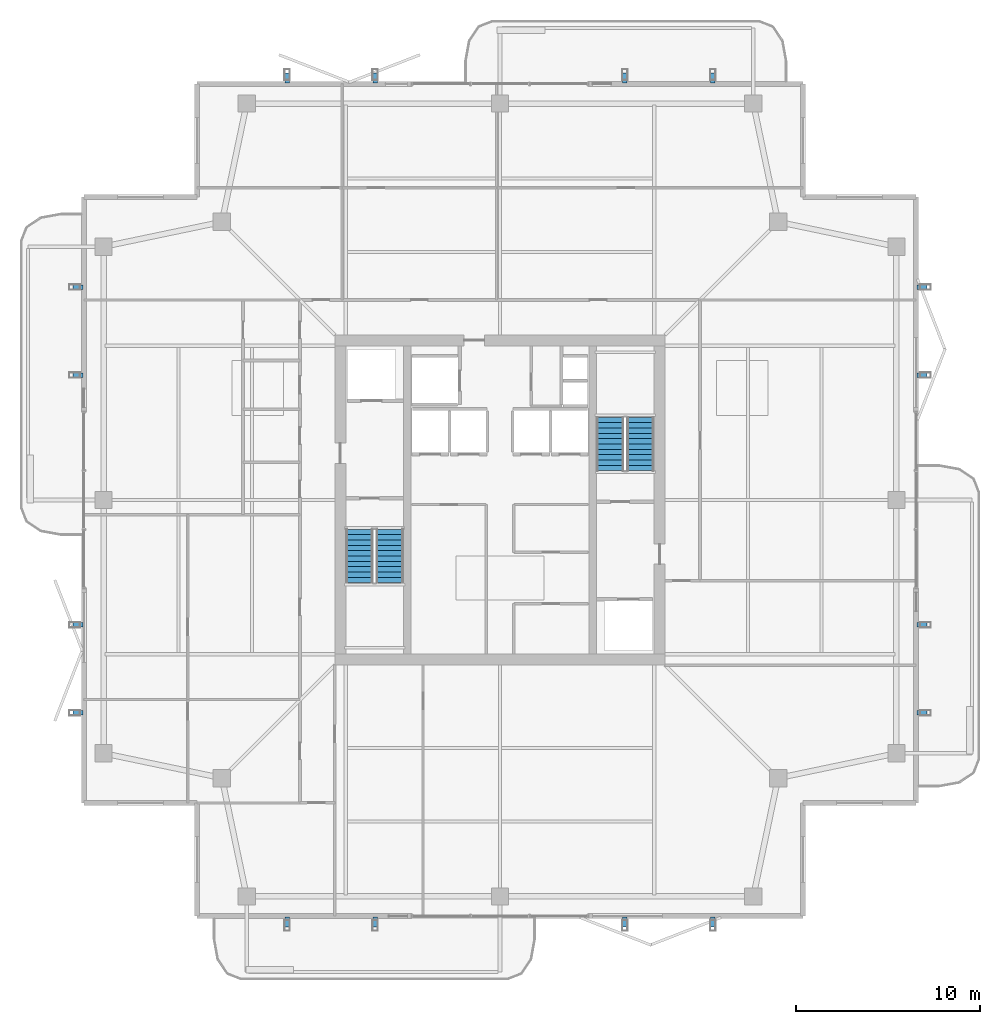
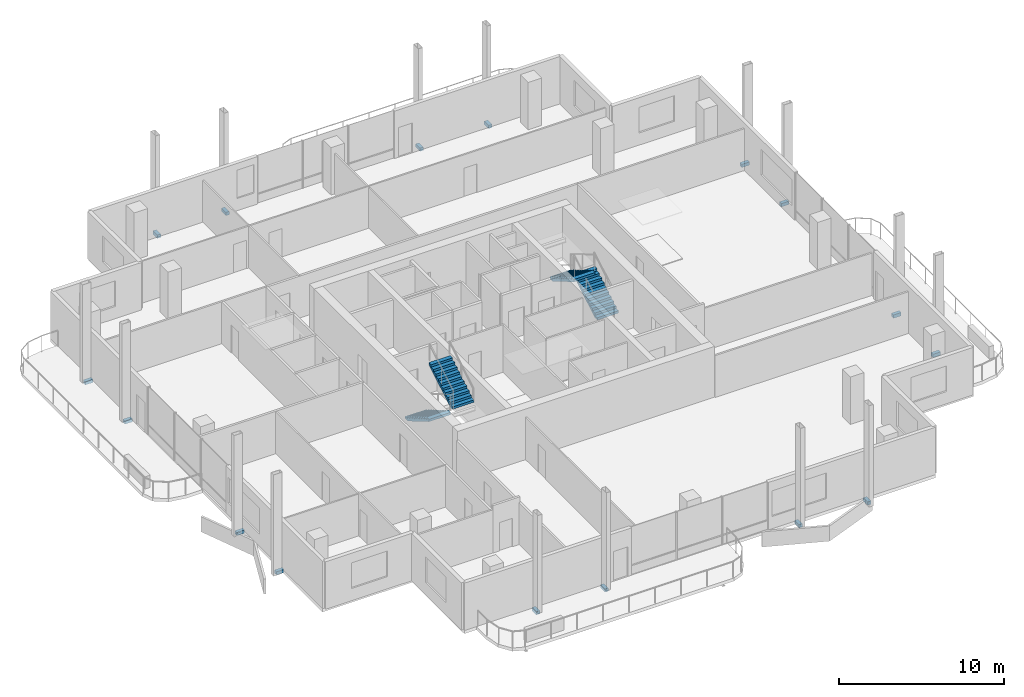
# One storey, part 17 of 20: 16 discrete accessories, 4 stair flights, 2 elements without a shape of their own.
"""IFC4 building model written with IfcOpenShell, lengths in metres."""

from ifc_helpers import new_model, si_unit, direction, frame, origin, origin_2d, place, context, subcontext, project, spatial, polyline, rectangle, outline, extrude, material, layer, layer_set, type_object, element, aggregate, save


model = new_model("IFC4")

# Units and contexts
model_context = context("Model", 3, precision=1e-05, world=origin(), true_north=direction((0.0, 1.0)))
body_context = subcontext(model_context, "Body", "Model", "MODEL_VIEW")
ifc_project = project(units=[si_unit("LENGTHUNIT", "METRE"), si_unit("AREAUNIT", "SQUARE_METRE"), si_unit("VOLUMEUNIT", "CUBIC_METRE"), si_unit("PLANEANGLEUNIT", "RADIAN"), si_unit("MASSUNIT", "GRAM", prefix="KILO")], contexts=[model_context])

# Site, building, storey
site_placement = place(None, origin())
site = spatial("IfcSite", under=ifc_project, at=site_placement, CompositionType="ELEMENT")
building_placement = place(site_placement, origin())
building = spatial("IfcBuilding", under=site, at=building_placement, Name="Belovzor Exchange Tower", CompositionType="ELEMENT")
storey_placement = place(building_placement, frame((0.0, 0.0, 314.25)))
storey = spatial("IfcBuildingStorey", under=building, at=storey_placement, Name="L78", CompositionType="ELEMENT", Elevation=314.25)

# Stair, stair flights
ifc_material_1 = material(Name="Concrete C40/50", Category="concrete")
stair_type = type_object("IfcStairType", Name="Reinforced Concrete Dogleg Escape Stair 1350", PredefinedType="HALF_TURN_STAIR", material=ifc_material_1)
stair_1_placement = place(storey_placement, origin())
stair_1 = element("IfcStair", 1, at=stair_1_placement, inside=storey, type_object=stair_type, Name="L78 ST-1", PredefinedType="HALF_TURN_STAIR")
ifc_material_2 = material(Name="Concrete C40/50", Category="concrete")
stair_flight_type = type_object("IfcStairFlightType", Name="Reinforced Concrete Stair Flight 1350", PredefinedType="STRAIGHT", material=ifc_material_2)
stair_flight_1_placement = place(storey_placement, frame((21.14990234375, 27.199951171875, 0.0), z_axis=(0.0, 0.0, 1.0), x_axis=(0.0, -1.0, 0.0)))
stair_flight_1 = element("IfcStairFlight", 2, at=stair_flight_1_placement, type_object=stair_flight_type, Name="ST-1 flight 1", NumberOfRisers=11, NumberOfTreads=10, PredefinedType="STRAIGHT", RiserHeight=0.170454545, TreadLength=0.29, context=body_context, shape_type="SweptSolid", body=[
    extrude(outline(polyline([(0.0, 0.0), (0.0, 0.17041015625), (0.2900390625, 0.17041015625), (0.2900390625, 0.3408203125), (0.580078125, 0.3408203125), (0.580078125, 0.511474609375), (0.8701171875, 0.511474609375), (0.8701171875, 0.681884765625), (1.159912109375, 0.681884765625), (1.159912109375, 0.852294921875), (1.449951171875, 0.852294921875), (1.449951171875, 1.022705078125), (1.739990234375, 1.022705078125), (1.739990234375, 1.193115234375), (2.030029296875, 1.193115234375), (2.030029296875, 1.363525390625), (2.320068359375, 1.363525390625), (2.320068359375, 1.5341796875), (2.610107421875, 1.5341796875), (2.610107421875, 1.70458984375), (2.89990234375, 1.70458984375), (2.89990234375, 1.875), (2.89990234375, 1.53076171875), (0.2958984375, 0.0), (0.0, 0.0)])), frame((0.0, 0.75, 0.0), z_axis=(0.0, -1.0, 0.0), x_axis=(1.0, 0.0, 0.0)), (0.0, 0.0, 1.0), 1.5),
])
stair_flight_2_placement = place(storey_placement, frame((22.800048828125, 24.300048828125, 1.875), z_axis=(0.0, 0.0, 1.0), x_axis=(0.0, 1.0, 0.0)))
stair_flight_2 = element("IfcStairFlight", 3, at=stair_flight_2_placement, type_object=stair_flight_type, Name="ST-1 flight 2", NumberOfRisers=11, NumberOfTreads=10, PredefinedType="STRAIGHT", RiserHeight=0.170454545, TreadLength=0.29, context=body_context, shape_type="SweptSolid", body=[
    extrude(outline(polyline([(0.0, 0.0), (0.0, 0.17041015625), (0.2900390625, 0.17041015625), (0.2900390625, 0.3408203125), (0.580078125, 0.3408203125), (0.580078125, 0.511474609375), (0.8701171875, 0.511474609375), (0.8701171875, 0.681884765625), (1.159912109375, 0.681884765625), (1.159912109375, 0.852294921875), (1.449951171875, 0.852294921875), (1.449951171875, 1.022705078125), (1.739990234375, 1.022705078125), (1.739990234375, 1.193115234375), (2.030029296875, 1.193115234375), (2.030029296875, 1.363525390625), (2.320068359375, 1.363525390625), (2.320068359375, 1.5341796875), (2.610107421875, 1.5341796875), (2.610107421875, 1.70458984375), (2.89990234375, 1.70458984375), (2.89990234375, 1.875), (2.89990234375, 1.53076171875), (0.2958984375, 0.0), (0.0, 0.0)])), frame((0.0, 0.75, 0.0), z_axis=(0.0, -1.0, 0.0), x_axis=(1.0, 0.0, 0.0)), (0.0, 0.0, 1.0), 1.5),
])
aggregate(stair_1, [stair_flight_1, stair_flight_2])

stair_2_placement = place(storey_placement, origin())
stair_2 = element("IfcStair", 4, at=stair_2_placement, inside=storey, type_object=stair_type, Name="L78 ST-2", PredefinedType="HALF_TURN_STAIR")
stair_flight_3_placement = place(storey_placement, frame((36.449951171875, 30.39990234375, 0.0), z_axis=(0.0, 0.0, 1.0), x_axis=(0.0, 1.0, 0.0)))
stair_flight_3 = element("IfcStairFlight", 5, at=stair_flight_3_placement, type_object=stair_flight_type, Name="ST-2 flight 1", NumberOfRisers=11, NumberOfTreads=10, PredefinedType="STRAIGHT", RiserHeight=0.170454545, TreadLength=0.29, context=body_context, shape_type="SweptSolid", body=[
    extrude(outline(polyline([(0.0, 0.0), (0.0, 0.17041015625), (0.2900390625, 0.17041015625), (0.2900390625, 0.3408203125), (0.580078125, 0.3408203125), (0.580078125, 0.511474609375), (0.8701171875, 0.511474609375), (0.8701171875, 0.681884765625), (1.159912109375, 0.681884765625), (1.159912109375, 0.852294921875), (1.449951171875, 0.852294921875), (1.449951171875, 1.022705078125), (1.739990234375, 1.022705078125), (1.739990234375, 1.193115234375), (2.030029296875, 1.193115234375), (2.030029296875, 1.363525390625), (2.320068359375, 1.363525390625), (2.320068359375, 1.5341796875), (2.610107421875, 1.5341796875), (2.610107421875, 1.70458984375), (2.89990234375, 1.70458984375), (2.89990234375, 1.875), (2.89990234375, 1.53076171875), (0.2958984375, 0.0), (0.0, 0.0)])), frame((0.0, 0.75, 0.0), z_axis=(0.0, -1.0, 0.0), x_axis=(1.0, 0.0, 0.0)), (0.0, 0.0, 1.0), 1.5),
])
stair_flight_4_placement = place(storey_placement, frame((34.800048828125, 33.300048828125, 1.875), z_axis=(0.0, 0.0, 1.0), x_axis=(0.0, -1.0, 0.0)))
stair_flight_4 = element("IfcStairFlight", 6, at=stair_flight_4_placement, type_object=stair_flight_type, Name="ST-2 flight 2", NumberOfRisers=11, NumberOfTreads=10, PredefinedType="STRAIGHT", RiserHeight=0.170454545, TreadLength=0.29, context=body_context, shape_type="SweptSolid", body=[
    extrude(outline(polyline([(0.0, 0.0), (0.0, 0.17041015625), (0.2900390625, 0.17041015625), (0.2900390625, 0.3408203125), (0.580078125, 0.3408203125), (0.580078125, 0.511474609375), (0.8701171875, 0.511474609375), (0.8701171875, 0.681884765625), (1.159912109375, 0.681884765625), (1.159912109375, 0.852294921875), (1.449951171875, 0.852294921875), (1.449951171875, 1.022705078125), (1.739990234375, 1.022705078125), (1.739990234375, 1.193115234375), (2.030029296875, 1.193115234375), (2.030029296875, 1.363525390625), (2.320068359375, 1.363525390625), (2.320068359375, 1.5341796875), (2.610107421875, 1.5341796875), (2.610107421875, 1.70458984375), (2.89990234375, 1.70458984375), (2.89990234375, 1.875), (2.89990234375, 1.53076171875), (0.2958984375, 0.0), (0.0, 0.0)])), frame((0.0, 0.75, 0.0), z_axis=(0.0, -1.0, 0.0), x_axis=(1.0, 0.0, 0.0)), (0.0, 0.0, 1.0), 1.5),
])
aggregate(stair_2, [stair_flight_3, stair_flight_4])

# Discrete accessories
ifc_material_3 = material(Name="Stainless Steel Grade 316", Category="steel")
ifc_layer = layer(ifc_material_3, 0.179931640625)
ifc_layer_set = layer_set([ifc_layer], Name="Stainless Steel Grade 316")
discrete_accessory_type = type_object("IfcDiscreteAccessoryType", Name="Stainless Steel Facade Outrigger Fixing Bracket", PredefinedType="BRACKET", material=ifc_layer_set)
for number, where, z_axis, x_axis, name in (
    (7, (17.199951171875, 5.81201171875, -0.240234375), (0.0, 0.0, 1.0), (0.0, 1.0, 0.0), "BRK-FIN1 Sweeping Fin Outrigger Bracket L78 S1"),
    (8, (17.199951171875, 51.7880859375, -0.240234375), (0.0, 0.0, 1.0), (0.0, 1.0, 0.0), "BRK-FIN1 Sweeping Fin Outrigger Bracket L78 N1"),
    (9, (5.81201171875, 17.199951171875, -0.240234375), (0.0, 0.0, 1.0), (1.0, 0.0, 0.0), "BRK-FIN1 Sweeping Fin Outrigger Bracket L78 W1"),
    (10, (51.7880859375, 17.199951171875, -0.240234375), (0.0, 0.0, 1.0), (1.0, 0.0, 0.0), "BRK-FIN1 Sweeping Fin Outrigger Bracket L78 E1"),
    (11, (22.0, 5.81201171875, -0.240234375), (0.0, 0.0, 1.0), (0.0, 1.0, 0.0), "BRK-FIN1 Sweeping Fin Outrigger Bracket L78 S2"),
    (12, (22.0, 51.7880859375, -0.240234375), (0.0, 0.0, 1.0), (0.0, 1.0, 0.0), "BRK-FIN1 Sweeping Fin Outrigger Bracket L78 N2"),
    (13, (5.81201171875, 22.0, -0.240234375), (0.0, 0.0, 1.0), (1.0, 0.0, 0.0), "BRK-FIN1 Sweeping Fin Outrigger Bracket L78 W2"),
    (14, (51.7880859375, 22.0, -0.240234375), (0.0, 0.0, 1.0), (1.0, 0.0, 0.0), "BRK-FIN1 Sweeping Fin Outrigger Bracket L78 E2"),
    (15, (35.60009765625, 5.81201171875, -0.240234375), (0.0, 0.0, 1.0), (0.0, 1.0, 0.0), "BRK-FIN1 Sweeping Fin Outrigger Bracket L78 S3"),
    (16, (35.60009765625, 51.7880859375, -0.240234375), (0.0, 0.0, 1.0), (0.0, 1.0, 0.0), "BRK-FIN1 Sweeping Fin Outrigger Bracket L78 N3"),
    (17, (5.81201171875, 35.60009765625, -0.240234375), (0.0, 0.0, 1.0), (1.0, 0.0, 0.0), "BRK-FIN1 Sweeping Fin Outrigger Bracket L78 W3"),
    (18, (51.7880859375, 35.60009765625, -0.240234375), (0.0, 0.0, 1.0), (1.0, 0.0, 0.0), "BRK-FIN1 Sweeping Fin Outrigger Bracket L78 E3"),
    (19, (40.39990234375, 5.81201171875, -0.240234375), (0.0, 0.0, 1.0), (0.0, 1.0, 0.0), "BRK-FIN1 Sweeping Fin Outrigger Bracket L78 S4"),
    (20, (40.39990234375, 51.7880859375, -0.240234375), (0.0, 0.0, 1.0), (0.0, 1.0, 0.0), "BRK-FIN1 Sweeping Fin Outrigger Bracket L78 N4"),
    (21, (5.81201171875, 40.39990234375, -0.240234375), (0.0, 0.0, 1.0), (1.0, 0.0, 0.0), "BRK-FIN1 Sweeping Fin Outrigger Bracket L78 W4"),
    (22, (51.7880859375, 40.39990234375, -0.240234375), (0.0, 0.0, 1.0), (1.0, 0.0, 0.0), "BRK-FIN1 Sweeping Fin Outrigger Bracket L78 E4"),
):
    element("IfcDiscreteAccessory", number, at=place(storey_placement, frame(where, z_axis=z_axis, x_axis=x_axis)), inside=storey, type_object=discrete_accessory_type, Name=name, PredefinedType="BRACKET", context=body_context, shape_type="SweptSolid", body=[
        extrude(rectangle(XDim=0.534912109375, YDim=0.239990234375, at=origin_2d()), origin(), (0.0, 0.0, 1.0), 0.239990234375),
    ])

save(model, "model.ifc")
